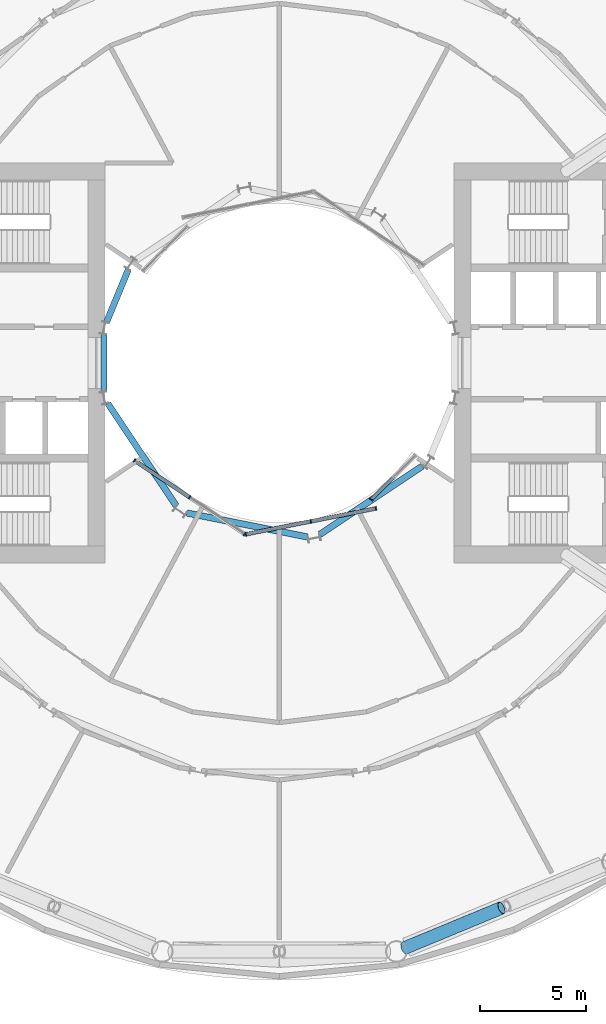
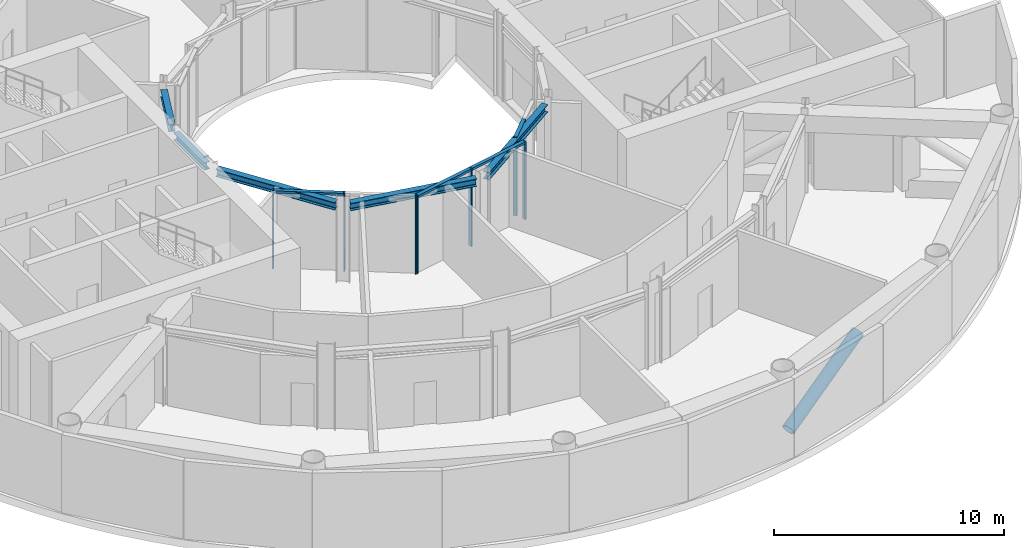
# One storey, part 4 of 15: 12 members, 5 beams, 3 elements without a shape of their own.
"""IFC4 building model written with IfcOpenShell, lengths in metres."""

from ifc_helpers import new_model, si_unit, direction, frame, origin, origin_2d, place, context, subcontext, project, spatial, rectangle, hollow_circle, i_section, extrude, material, layer, layer_set, material_profile, profile_set, type_object, element, aggregate, save


model = new_model("IFC4")

# Units and contexts
model_context = context("Model", 3, precision=1e-05, world=origin(), true_north=direction((0.0, 1.0)))
body_context = subcontext(model_context, "Body", "Model", "MODEL_VIEW")
ifc_project = project(units=[si_unit("LENGTHUNIT", "METRE"), si_unit("AREAUNIT", "SQUARE_METRE"), si_unit("VOLUMEUNIT", "CUBIC_METRE"), si_unit("PLANEANGLEUNIT", "RADIAN"), si_unit("MASSUNIT", "GRAM", prefix="KILO")], contexts=[model_context])

# Site, building, storey
site_placement = place(None, origin())
site = spatial("IfcSite", under=ifc_project, at=site_placement, CompositionType="ELEMENT")
building_placement = place(site_placement, origin())
building = spatial("IfcBuilding", under=site, at=building_placement, Name="Maasbend Ring Residences", CompositionType="ELEMENT")
storey_placement = place(building_placement, frame((0.0, 0.0, 18.300048828125)))
storey = spatial("IfcBuildingStorey", under=building, at=storey_placement, Name="L04", CompositionType="ELEMENT", Elevation=18.300048828125)

# Member
ifc_material_1 = material(Name="Steel S460NH", Category="steel")
ifc_material_profile_1 = material_profile(ifc_material_1, hollow_circle(Radius=0.304931640625, WallThickness=0.02490234375, at=origin_2d()), Name="Belt truss diagonal CHS 610x25")
ifc_profile_set_1 = profile_set([ifc_material_profile_1], Name="Steel S460NH")
member_type_1 = type_object("IfcMemberType", Name="Belt truss diagonal CHS 610x25", PredefinedType="BRACE", material=ifc_profile_set_1)
member_1_placement = place(storey_placement, frame((5.877685546875, -27.502197265625, 0.849853515625), z_axis=(0.827714428739, 0.342833747825, 0.444245254122), x_axis=(-0.38266743189, 0.923886159963, 0.0)))
element("IfcMember", 1, at=member_1_placement, inside=storey, type_object=member_type_1, Name="Belt truss diagonal", PredefinedType="BRACE", context=body_context, shape_type="SweptSolid", body=[
    extrude(hollow_circle(Radius=0.304931640625, WallThickness=0.02490234375, at=origin_2d()), origin(), (0.0, 0.0, 1.0), 5.515380859375),
])

# Curtain wall, members
ifc_material_2 = material(Name="Aluminium and clear glass", Category="aluminium")
ifc_layer = layer(ifc_material_2, 0.179931640625)
ifc_layer_set = layer_set([ifc_layer], Name="CW-W")
curtain_wall_type = type_object("IfcCurtainWallType", Name="CW-W", PredefinedType="NOTDEFINED", material=ifc_layer_set)
curtain_wall_1_placement = place(storey_placement, origin())
curtain_wall_1 = element("IfcCurtainWall", 2, at=curtain_wall_1_placement, inside=storey, type_object=curtain_wall_type, Name="Well curtain wall S1", PredefinedType="NOTDEFINED")
ifc_material_3 = material(Name="Aluminium 6063-T6", Category="aluminium")
ifc_material_profile_2 = material_profile(ifc_material_3, rectangle(XDim=0.179931640625, YDim=0.06005859375, at=origin_2d()), Name="AL 180x60")
ifc_profile_set_2 = profile_set([ifc_material_profile_2], Name="Aluminium 6063-T6")
member_type_2 = type_object("IfcMemberType", Name="CWM-W", PredefinedType="MULLION", material=ifc_profile_set_2)
member_2_placement = place(storey_placement, frame((-6.805908203125, -4.580810546875, 0.0), z_axis=(0.0, 0.0, 1.0), x_axis=(0.55557023302, 0.831469612303, 0.0)))
member_2 = element("IfcMember", 3, at=member_2_placement, type_object=member_type_2, Name="Mullion well face", PredefinedType="MULLION", context=body_context, shape_type="SweptSolid", body=[
    extrude(rectangle(XDim=0.179931640625, YDim=0.06005859375, at=origin_2d()), origin(), (0.0, 0.0, 1.0), 4.14990234375),
])
member_3_placement = place(storey_placement, frame((-4.216796875, -6.310791015625, 0.0), z_axis=(0.0, 0.0, 1.0), x_axis=(0.55557023302, 0.831469612303, 0.0)))
member_3 = element("IfcMember", 4, at=member_3_placement, type_object=member_type_2, Name="Mullion well face", PredefinedType="MULLION", context=body_context, shape_type="SweptSolid", body=[
    extrude(rectangle(XDim=0.179931640625, YDim=0.06005859375, at=origin_2d()), origin(), (0.0, 0.0, 1.0), 4.14990234375),
])
member_4_placement = place(storey_placement, frame((-1.627685546875, -8.040771484375, 0.0), z_axis=(0.0, 0.0, 1.0), x_axis=(0.55557023302, 0.831469612303, 0.0)))
member_4 = element("IfcMember", 5, at=member_4_placement, type_object=member_type_2, Name="Mullion well face", PredefinedType="MULLION", context=body_context, shape_type="SweptSolid", body=[
    extrude(rectangle(XDim=0.179931640625, YDim=0.06005859375, at=origin_2d()), origin(), (0.0, 0.0, 1.0), 4.14990234375),
])

curtain_wall_2_placement = place(storey_placement, origin())
curtain_wall_2 = element("IfcCurtainWall", 6, at=curtain_wall_2_placement, inside=storey, type_object=curtain_wall_type, Name="Well curtain wall S2", PredefinedType="NOTDEFINED")
member_5_placement = place(storey_placement, frame((-1.5732421875, -8.0517578125, 0.0), z_axis=(0.0, 0.0, 1.0), x_axis=(-0.195090322016, 0.980785280403, 0.0)))
member_5 = element("IfcMember", 7, at=member_5_placement, type_object=member_type_2, Name="Mullion well face", PredefinedType="MULLION", context=body_context, shape_type="SweptSolid", body=[
    extrude(rectangle(XDim=0.179931640625, YDim=0.06005859375, at=origin_2d()), origin(), (0.0, 0.0, 1.0), 4.14990234375),
])
member_6_placement = place(storey_placement, frame((1.480712890625, -7.444091796875, 0.0), z_axis=(0.0, 0.0, 1.0), x_axis=(-0.195090322016, 0.980785280403, 0.0)))
member_6 = element("IfcMember", 8, at=member_6_placement, type_object=member_type_2, Name="Mullion well face", PredefinedType="MULLION", context=body_context, shape_type="SweptSolid", body=[
    extrude(rectangle(XDim=0.179931640625, YDim=0.06005859375, at=origin_2d()), origin(), (0.0, 0.0, 1.0), 4.14990234375),
])
member_7_placement = place(storey_placement, frame((4.53466796875, -6.836669921875, 0.0), z_axis=(0.0, 0.0, 1.0), x_axis=(-0.195090322016, 0.980785280403, 0.0)))
member_7 = element("IfcMember", 9, at=member_7_placement, type_object=member_type_2, Name="Mullion well face", PredefinedType="MULLION", context=body_context, shape_type="SweptSolid", body=[
    extrude(rectangle(XDim=0.179931640625, YDim=0.06005859375, at=origin_2d()), origin(), (0.0, 0.0, 1.0), 4.14990234375),
])

# Curtain wall, member
curtain_wall_3_placement = place(storey_placement, origin())
curtain_wall_3 = element("IfcCurtainWall", 10, at=curtain_wall_3_placement, inside=storey, type_object=curtain_wall_type, Name="Well curtain wall S3", PredefinedType="NOTDEFINED")
member_8_placement = place(storey_placement, frame((4.320556640625, -6.413330078125, 0.0), z_axis=(0.0, 0.0, 1.0), x_axis=(-0.707106781187, 0.707106781187, 0.0)))
member_8 = element("IfcMember", 11, at=member_8_placement, type_object=member_type_2, Name="Mullion well face", PredefinedType="MULLION", context=body_context, shape_type="SweptSolid", body=[
    extrude(rectangle(XDim=0.179931640625, YDim=0.06005859375, at=origin_2d()), origin(), (0.0, 0.0, 1.0), 4.14990234375),
])

# Member
ifc_material_4 = material(Name="Aluminium 6063-T6", Category="aluminium")
ifc_material_profile_3 = material_profile(ifc_material_4, rectangle(XDim=0.179931640625, YDim=0.1201171875, at=origin_2d()), Name="AL 180x120")
ifc_profile_set_3 = profile_set([ifc_material_profile_3], Name="Aluminium 6063-T6")
member_type_3 = type_object("IfcMemberType", Name="CWT-W", PredefinedType="USERDEFINED", material=ifc_profile_set_3)
member_9_placement = place(storey_placement, frame((-6.781005859375, -4.59765625, 4.08984375), z_axis=(0.831496422459, -0.555530106689, 0.0), x_axis=(0.555530106689, 0.831496422459, 0.0)))
member_9 = element("IfcMember", 12, at=member_9_placement, type_object=member_type_3, Name="Transom well face", ObjectType="TRANSOM", PredefinedType="USERDEFINED", context=body_context, shape_type="SweptSolid", body=[
    extrude(rectangle(XDim=0.179931640625, YDim=0.1201171875, at=origin_2d()), origin(), (0.0, 0.0, 1.0), 3.053955078125),
])

aggregate(curtain_wall_1, [member_2, member_3, member_4, member_9])

member_10_placement = place(storey_placement, frame((-1.5439453125, -8.0458984375, 4.08984375), z_axis=(0.980776956105, 0.195132166424, 0.0), x_axis=(-0.195132166424, 0.980776956105, 0.0)))
member_10 = element("IfcMember", 13, at=member_10_placement, type_object=member_type_3, Name="Transom well face", ObjectType="TRANSOM", PredefinedType="USERDEFINED", context=body_context, shape_type="SweptSolid", body=[
    extrude(rectangle(XDim=0.179931640625, YDim=0.1201171875, at=origin_2d()), origin(), (0.0, 0.0, 1.0), 3.053955078125),
])

member_11_placement = place(storey_placement, frame((1.51025390625, -7.438232421875, 4.08984375), z_axis=(0.980789210404, 0.19507056353, 0.0), x_axis=(-0.19507056353, 0.980789210404, 0.0)))
member_11 = element("IfcMember", 14, at=member_11_placement, type_object=member_type_3, Name="Transom well face", ObjectType="TRANSOM", PredefinedType="USERDEFINED", context=body_context, shape_type="SweptSolid", body=[
    extrude(rectangle(XDim=0.179931640625, YDim=0.1201171875, at=origin_2d()), origin(), (0.0, 0.0, 1.0), 3.0537109375),
])

aggregate(curtain_wall_2, [member_5, member_6, member_7, member_10, member_11])

member_12_placement = place(storey_placement, frame((4.341796875, -6.39208984375, 4.08984375), z_axis=(0.707106781187, 0.707106781187, 0.0), x_axis=(-0.707106781187, 0.707106781187, 0.0)))
member_12 = element("IfcMember", 15, at=member_12_placement, type_object=member_type_3, Name="Transom well face", ObjectType="TRANSOM", PredefinedType="USERDEFINED", context=body_context, shape_type="SweptSolid", body=[
    extrude(rectangle(XDim=0.179931640625, YDim=0.1201171875, at=origin_2d()), origin(), (0.0, 0.0, 1.0), 1.419677734375),
])

aggregate(curtain_wall_3, [member_8, member_12])

# Beams
ifc_material_5 = material(Name="Steel S355J2", Category="steel")
ifc_material_profile_4 = material_profile(ifc_material_5, i_section(OverallWidth=0.300048828125, OverallDepth=0.39990234375, WebThickness=0.013427734375, FlangeThickness=0.02392578125, FilletRadius=0.027099609375, at=origin_2d()), Name="HEB 400")
ifc_profile_set_4 = profile_set([ifc_material_profile_4], Name="Steel S355J2")
beam_type = type_object("IfcBeamType", Name="Well edge beam HEB 400", PredefinedType="BEAM", material=ifc_profile_set_4)
beam_1_placement = place(storey_placement, frame((-7.101318359375, 4.38427734375, 3.949951171875), z_axis=(-0.382715761492, -0.923866140686, 0.0), x_axis=(0.923866140686, -0.382715761492, 0.0)))
element("IfcBeam", 16, at=beam_1_placement, inside=storey, type_object=beam_type, Name="Well edge beam", PredefinedType="BEAM", context=body_context, shape_type="SweptSolid", body=[
    extrude(i_section(OverallWidth=0.300048828125, OverallDepth=0.39990234375, WebThickness=0.013427734375, FlangeThickness=0.02392578125, FilletRadius=0.027099609375, at=origin_2d()), origin(), (0.0, 0.0, 1.0), 2.665771484375),
])
beam_2_placement = place(storey_placement, frame((-8.238525390625, 1.3330078125, 3.949951171875), z_axis=(0.0, -1.0, 0.0), x_axis=(1.0, 0.0, 0.0)))
element("IfcBeam", 17, at=beam_2_placement, inside=storey, type_object=beam_type, Name="Well edge beam", PredefinedType="BEAM", context=body_context, shape_type="SweptSolid", body=[
    extrude(i_section(OverallWidth=0.300048828125, OverallDepth=0.39990234375, WebThickness=0.013427734375, FlangeThickness=0.02392578125, FilletRadius=0.027099609375, at=origin_2d()), origin(), (0.0, 0.0, 1.0), 2.666015625),
])
for number, where, z_axis, x_axis, name in (
    (18, (-8.05810546875, -1.90869140625, 3.949951171875), (0.555557724977, -0.831477969773, 0.0), (0.831477969773, 0.555557724977, 0.0), "Well edge beam"),
    (19, (-4.348388671875, -7.047607421875, 3.949951171875), (0.980781612923, -0.195108758779, 0.0), (0.195108758779, 0.980781612923, 0.0), "Well edge beam"),
    (20, (1.90869140625, -8.05810546875, 3.949951171875), (0.831477969773, 0.555557724977, 0.0), (-0.555557724977, 0.831477969773, 0.0), "Well edge beam"),
):
    element("IfcBeam", number, at=place(storey_placement, frame(where, z_axis=z_axis, x_axis=x_axis)), inside=storey, type_object=beam_type, Name=name, PredefinedType="BEAM", context=body_context, shape_type="SweptSolid", body=[
        extrude(i_section(OverallWidth=0.300048828125, OverallDepth=0.39990234375, WebThickness=0.013427734375, FlangeThickness=0.02392578125, FilletRadius=0.027099609375, at=origin_2d()), origin(), (0.0, 0.0, 1.0), 5.77978515625),
    ])

save(model, "model.ifc")
